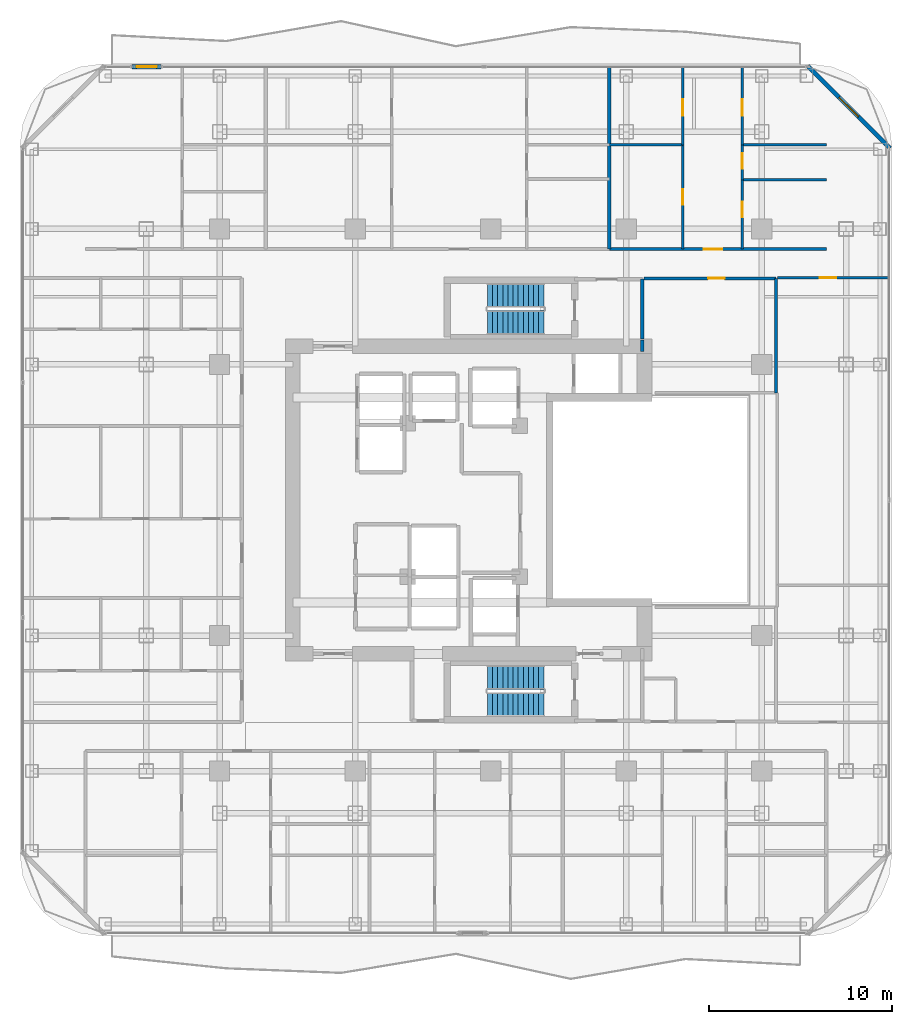
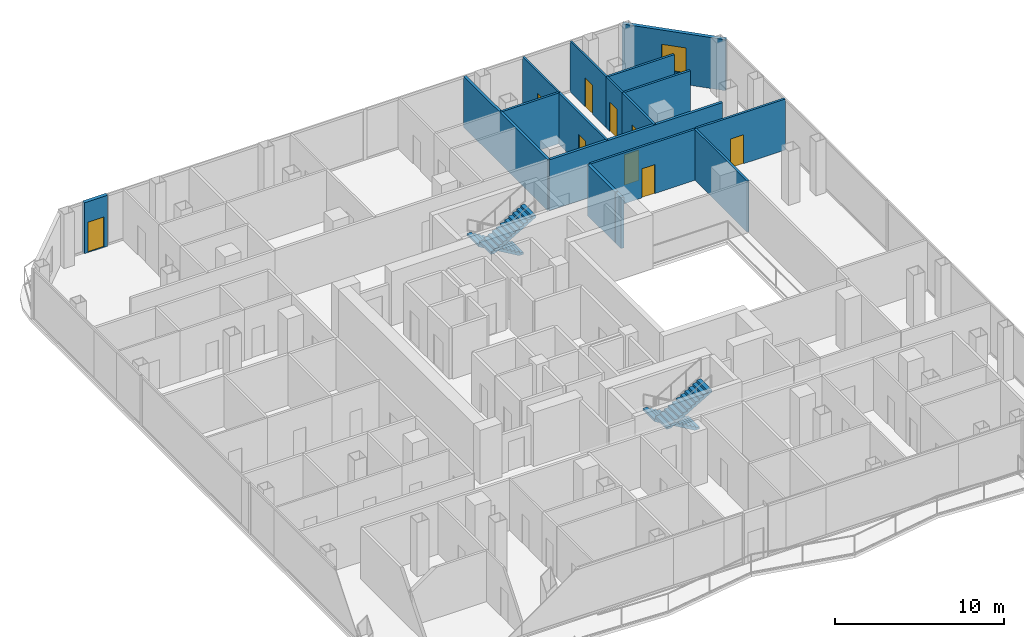
# One storey, part 23 of 26: 17 walls, 9 doors, 4 stair flights, 1 window, 10 openings, 2 elements without a shape of their own.
"""IFC4 building model written with IfcOpenShell, lengths in metres."""

from ifc_helpers import new_model, si_unit, direction, frame, frame_2d, origin, place, context, subcontext, project, spatial, polyline, rectangle, outline, extrude, material, layer, layer_set, type_object, element, fill, aggregate, save


model = new_model("IFC4")

# Units and contexts
model_context = context("Model", 3, precision=1e-05, world=origin(), true_north=direction((0.0, 1.0)))
body_context = subcontext(model_context, "Body", "Model", "MODEL_VIEW")
ifc_project = project(units=[si_unit("LENGTHUNIT", "METRE"), si_unit("AREAUNIT", "SQUARE_METRE"), si_unit("VOLUMEUNIT", "CUBIC_METRE"), si_unit("PLANEANGLEUNIT", "RADIAN"), si_unit("MASSUNIT", "GRAM", prefix="KILO")], contexts=[model_context])

# Site, building, storey
site_placement = place(None, origin())
site = spatial("IfcSite", under=ifc_project, at=site_placement, CompositionType="ELEMENT")
building_placement = place(site_placement, origin())
building = spatial("IfcBuilding", under=site, at=building_placement, Name="Khorvyn Point Tower", CompositionType="ELEMENT")
storey_placement = place(building_placement, frame((0.0, 0.0, 183.60009765625)))
storey = spatial("IfcBuildingStorey", under=building, at=storey_placement, Name="L45", CompositionType="ELEMENT", Elevation=183.60009765625)

# Wall, opening, door
ifc_material_1 = material(Name="Double acoustic gypsum on twin steel stud", Category="steel")
ifc_layer_1 = layer(ifc_material_1, 0.179931640625)
ifc_layer_set_1 = layer_set([ifc_layer_1], Name="Acoustic Double-Stud Apartment Demising Wall 180")
wall_type_1 = type_object("IfcWallType", Name="Acoustic Double-Stud Apartment Demising Wall 180", PredefinedType="PARTITIONING", material=ifc_layer_set_1)
wall_1_placement = place(storey_placement, frame((6.47802734375, 13.699951171875, 0.0), z_axis=(0.0, 0.0, 1.0), x_axis=(1.0, 0.0, 0.0)))
wall_1 = element("IfcWall", 1, at=wall_1_placement, inside=storey, type_object=wall_type_1, Name="Wall", PredefinedType="PARTITIONING", context=body_context, shape_type="SweptSolid", body=[
    extrude(rectangle(XDim=11.842041015625, YDim=0.179931640625, at=frame_2d((5.9208984375, 0.0))), origin(), (0.0, 0.0, 1.0), 3.679931640625),
])
opening_1_placement = place(wall_1_placement, frame((5.153564453125, 0.0, 0.0)))
opening_1 = element("IfcOpeningElement", 2, at=opening_1_placement, cuts=wall_1, Name="Opening ID-AP60", PredefinedType="OPENING", context=body_context, shape_type="SweptSolid", body=[
    extrude(rectangle(XDim=1.0, YDim=2.199951171875, at=frame_2d((0.5, 1.10009765625))), frame((0.0, 0.099853515625, 0.0), z_axis=(0.0, -1.0, 0.0), x_axis=(1.0, 0.0, 0.0)), (0.0, 0.0, 1.0), 0.199951171875),
])
ifc_material_2 = material(Name="Engineered hardwood fire-rated leaf", Category="wood")
door_type_1 = type_object("IfcDoorType", Name="Acoustic Solid-Core Timber Apartment Entrance Door 1000x2200", OperationType="NOTDEFINED", PredefinedType="DOOR", material=ifc_material_2)
door_1_placement = place(opening_1_placement, origin())
door_1 = element("IfcDoor", 3, at=door_1_placement, inside=storey, type_object=door_type_1, Name="Door", OperationType="SINGLE_SWING_LEFT", OverallHeight=2.199951171875, OverallWidth=1.0, PredefinedType="DOOR", context=body_context, shape_type="SweptSolid", body=[
    extrude(rectangle(XDim=1.0, YDim=2.199951171875, at=frame_2d((0.5, 1.10009765625))), frame((0.0, 0.02490234375, 0.0), z_axis=(0.0, -1.0, 0.0), x_axis=(1.0, 0.0, 0.0)), (0.0, 0.0, 1.0), 0.050048828125),
])
fill(opening_1, door_1)

# Wall
wall_2_placement = place(storey_placement, frame((6.47802734375, 13.699951171875, 0.0), z_axis=(0.0, 0.0, 1.0), x_axis=(0.0, 1.0, 0.0)))
element("IfcWall", 4, at=wall_2_placement, inside=storey, type_object=wall_type_1, Name="Wall", PredefinedType="PARTITIONING", context=body_context, shape_type="SweptSolid", body=[
    extrude(rectangle(XDim=9.929931640625, YDim=0.179931640625, at=frame_2d((4.96484375, 0.0))), origin(), (0.0, 0.0, 1.0), 3.679931640625),
])

# Wall, opening, door
ifc_material_3 = material(Name="Pale anodised aluminium rainscreen on steel stud", Category="steel")
ifc_layer_2 = layer(ifc_material_3, 0.239990234375)
ifc_layer_set_2 = layer_set([ifc_layer_2], Name="Anodised Aluminium Insulated Corner Spandrel Wall 240")
wall_type_2 = type_object("IfcWallType", Name="Anodised Aluminium Insulated Corner Spandrel Wall 240", PredefinedType="SOLIDWALL", material=ifc_layer_set_2)
wall_3_placement = place(storey_placement, frame((-19.577880859375, 23.64990234375, 0.0), z_axis=(0.0, 0.0, 1.0), x_axis=(1.0, 0.0, 0.0)))
wall_3 = element("IfcWall", 5, at=wall_3_placement, inside=storey, type_object=wall_type_2, Name="L45 North Outdoor Threshold Wall", PredefinedType="SOLIDWALL", context=body_context, shape_type="SweptSolid", body=[
    extrude(rectangle(XDim=1.579833984375, YDim=0.239990234375, at=frame_2d((0.7900390625, 0.0))), origin(), (0.0, 0.0, 1.0), 3.679931640625),
])
opening_2_placement = place(wall_3_placement, frame((0.239990234375, 0.0, 0.0)))
opening_2 = element("IfcOpeningElement", 6, at=opening_2_placement, cuts=wall_3, Name="Opening BD-1122", PredefinedType="OPENING", context=body_context, shape_type="SweptSolid", body=[
    extrude(rectangle(XDim=1.10009765625, YDim=2.199951171875, at=frame_2d((0.550048828125, 1.10009765625))), frame((0.0, 0.1298828125, 0.0), z_axis=(0.0, -1.0, 0.0), x_axis=(1.0, 0.0, 0.0)), (0.0, 0.0, 1.0), 0.260009765625),
])
ifc_material_4 = material(Name="Anodised aluminium 6063-T6 and laminated Low-E glass", Category="aluminium")
door_type_2 = type_object("IfcDoorType", Name="Glazed Balcony and Terrace Threshold Door 1100x2200", OperationType="NOTDEFINED", PredefinedType="DOOR", material=ifc_material_4)
door_2_placement = place(opening_2_placement, origin())
door_2 = element("IfcDoor", 7, at=door_2_placement, inside=storey, type_object=door_type_2, Name="L45 North Glazed Balcony Outdoor Door", OperationType="SINGLE_SWING_RIGHT", OverallHeight=2.199951171875, OverallWidth=1.10009765625, PredefinedType="DOOR", context=body_context, shape_type="SweptSolid", body=[
    extrude(rectangle(XDim=1.10009765625, YDim=2.199951171875, at=frame_2d((0.550048828125, 1.10009765625))), frame((0.0, 0.02490234375, 0.0), z_axis=(0.0, -1.0, 0.0), x_axis=(1.0, 0.0, 0.0)), (0.0, 0.0, 1.0), 0.050048828125),
])
fill(opening_2, door_2)

# Wall, opening, window
wall_4_placement = place(storey_placement, frame((17.3076171875, 23.6923828125, 0.0), z_axis=(0.0, 0.0, 1.0), x_axis=(0.707106781187, -0.707106781187, 0.0)))
wall_4 = element("IfcWall", 8, at=wall_4_placement, inside=storey, type_object=wall_type_2, Name="L45 Rounded Corner Wall NE", PredefinedType="SOLIDWALL", context=body_context, shape_type="SweptSolid", body=[
    extrude(rectangle(XDim=6.342529296875, YDim=0.239990234375, at=frame_2d((3.17138671875, 0.0))), origin(), (0.0, 0.0, 1.0), 3.679931640625),
])
opening_3_placement = place(wall_4_placement, frame((2.42138671875, 0.0, 0.800048828125)))
opening_3 = element("IfcOpeningElement", 9, at=opening_3_placement, cuts=wall_4, Name="Opening WN-1518", PredefinedType="OPENING", context=body_context, shape_type="SweptSolid", body=[
    extrude(rectangle(XDim=1.5, YDim=1.85009765625, at=frame_2d((0.75, 0.925048828125))), frame((0.0, 0.1298828125, 0.0), z_axis=(0.0, -1.0, 0.0), x_axis=(1.0, 0.0, 0.0)), (0.0, 0.0, 1.0), 0.260009765625),
])
window_type = type_object("IfcWindowType", Name="Anodised Aluminium Rounded-Corner Panoramic Window 1500x1850", PartitioningType="SINGLE_PANEL", PredefinedType="WINDOW", material=ifc_material_4)
window_placement = place(opening_3_placement, origin())
window = element("IfcWindow", 10, at=window_placement, inside=storey, type_object=window_type, Name="L45 Corner Panoramic Window NE", OverallHeight=1.85009765625, OverallWidth=1.5, PartitioningType="SINGLE_PANEL", PredefinedType="WINDOW", context=body_context, shape_type="SweptSolid", body=[
    extrude(rectangle(XDim=1.5, YDim=1.85009765625, at=frame_2d((0.75, 0.925048828125))), frame((0.0, 0.030029296875, 0.0), z_axis=(0.0, -1.0, 0.0), x_axis=(1.0, 0.0, 0.0)), (0.0, 0.0, 1.0), 0.06005859375),
])
fill(opening_3, window)

# Walls
ifc_material_5 = material(Name="Concrete C40/50", Category="concrete")
ifc_layer_3 = layer(ifc_material_5, 0.199951171875)
ifc_layer_set_3 = layer_set([ifc_layer_3], Name="Concrete C40/50 Fire-Lobby Compartment Wall 200")
wall_type_3 = type_object("IfcWallType", Name="Concrete C40/50 Fire-Lobby Compartment Wall 200", PredefinedType="SOLIDWALL", material=ifc_layer_set_3)
wall_5_placement = place(storey_placement, frame((8.280029296875, 8.800048828125, 0.0), z_axis=(0.0, 0.0, 1.0), x_axis=(0.0, 1.0, 0.0)))
element("IfcWall", 11, at=wall_5_placement, inside=storey, type_object=wall_type_3, Name="Wall", PredefinedType="SOLIDWALL", context=body_context, shape_type="SweptSolid", body=[
    extrude(rectangle(XDim=3.260009765625, YDim=0.199951171875, at=frame_2d((1.6298828125, 0.0))), origin(), (0.0, 0.0, 1.0), 3.679931640625),
])
wall_6_placement = place(storey_placement, frame((8.280029296875, 8.10009765625, 0.0), z_axis=(0.0, 0.0, 1.0), x_axis=(0.0, 1.0, 0.0)))
element("IfcWall", 12, at=wall_6_placement, inside=storey, type_object=wall_type_3, Name="Wall", PredefinedType="SOLIDWALL", context=body_context, shape_type="SweptSolid", body=[
    extrude(rectangle(XDim=0.625, YDim=0.199951171875, at=frame_2d((0.3125, 0.0))), origin(), (0.0, 0.0, 1.0), 3.679931640625),
])

# Wall, opening, door
ifc_material_6 = material(Name="Gypsum plasterboard on steel stud", Category="steel")
ifc_layer_4 = layer(ifc_material_6, 0.1201171875)
ifc_layer_set_4 = layer_set([ifc_layer_4], Name="Gypsum Acoustic Stud Room Partition Wall 120")
wall_type_4 = type_object("IfcWallType", Name="Gypsum Acoustic Stud Room Partition Wall 120", PredefinedType="PARTITIONING", material=ifc_layer_set_4)
wall_7_placement = place(storey_placement, frame((10.48095703125, 19.389892578125, 0.0), z_axis=(0.0, 0.0, 1.0), x_axis=(0.0, 1.0, 0.0)))
wall_7 = element("IfcWall", 13, at=wall_7_placement, inside=storey, type_object=wall_type_4, Name="Wall", PredefinedType="PARTITIONING", context=body_context, shape_type="SweptSolid", body=[
    extrude(rectangle(XDim=4.239990234375, YDim=0.1201171875, at=frame_2d((2.1201171875, 0.0))), origin(), (0.0, 0.0, 1.0), 3.679931640625),
])
opening_4_placement = place(wall_7_placement, frame((1.581298828125, 0.0, 0.0)))
opening_4 = element("IfcOpeningElement", 14, at=opening_4_placement, cuts=wall_7, Name="Opening ID-RM90", PredefinedType="OPENING", context=body_context, shape_type="SweptSolid", body=[
    extrude(rectangle(XDim=0.89990234375, YDim=2.10009765625, at=frame_2d((0.449951171875, 1.050048828125))), frame((0.0, 0.070068359375, 0.0), z_axis=(0.0, -1.0, 0.0), x_axis=(1.0, 0.0, 0.0)), (0.0, 0.0, 1.0), 0.14013671875),
])
ifc_material_7 = material(Name="Engineered oak veneer timber", Category="wood")
door_type_3 = type_object("IfcDoorType", Name="Flush Engineered Timber Room Door 900x2100", OperationType="NOTDEFINED", PredefinedType="DOOR", material=ifc_material_7)
door_3_placement = place(opening_4_placement, origin())
door_3 = element("IfcDoor", 15, at=door_3_placement, inside=storey, type_object=door_type_3, Name="Door", OperationType="SINGLE_SWING_LEFT", OverallHeight=2.10009765625, OverallWidth=0.89990234375, PredefinedType="DOOR", context=body_context, shape_type="SweptSolid", body=[
    extrude(rectangle(XDim=0.89990234375, YDim=2.10009765625, at=frame_2d((0.449951171875, 1.050048828125))), frame((0.0, 0.02490234375, 0.0), z_axis=(0.0, -1.0, 0.0), x_axis=(1.0, 0.0, 0.0)), (0.0, 0.0, 1.0), 0.050048828125),
])
fill(opening_4, door_3)

wall_8_placement = place(storey_placement, frame((13.73095703125, 17.48388671875, 0.0), z_axis=(0.0, 0.0, 1.0), x_axis=(0.0, 1.0, 0.0)))
wall_8 = element("IfcWall", 16, at=wall_8_placement, inside=storey, type_object=wall_type_4, Name="Wall", PredefinedType="PARTITIONING", context=body_context, shape_type="SweptSolid", body=[
    extrude(rectangle(XDim=1.906005859375, YDim=0.1201171875, at=frame_2d((0.953125, 0.0))), origin(), (0.0, 0.0, 1.0), 3.679931640625),
])
opening_5_placement = place(wall_8_placement, frame((0.6015625, 0.0, 0.0)))
opening_5 = element("IfcOpeningElement", 17, at=opening_5_placement, cuts=wall_8, Name="Opening ID-WC85", PredefinedType="OPENING", context=body_context, shape_type="SweptSolid", body=[
    extrude(rectangle(XDim=0.85009765625, YDim=2.10009765625, at=frame_2d((0.425048828125, 1.050048828125))), frame((0.0, 0.070068359375, 0.0), z_axis=(0.0, -1.0, 0.0), x_axis=(1.0, 0.0, 0.0)), (0.0, 0.0, 1.0), 0.14013671875),
])
ifc_material_8 = material(Name="High-pressure laminate on moisture-resistant core", Category="wood")
door_type_4 = type_object("IfcDoorType", Name="Moisture-Resistant Accessible Washroom Door 850x2100", OperationType="NOTDEFINED", PredefinedType="DOOR", material=ifc_material_8)
door_4_placement = place(opening_5_placement, origin())
door_4 = element("IfcDoor", 18, at=door_4_placement, inside=storey, type_object=door_type_4, Name="Door", OperationType="SINGLE_SWING_LEFT", OverallHeight=2.10009765625, OverallWidth=0.85009765625, PredefinedType="DOOR", context=body_context, shape_type="SweptSolid", body=[
    extrude(rectangle(XDim=0.85009765625, YDim=2.10009765625, at=frame_2d((0.425048828125, 1.050048828125))), frame((0.0, 0.02490234375, 0.0), z_axis=(0.0, -1.0, 0.0), x_axis=(1.0, 0.0, 0.0)), (0.0, 0.0, 1.0), 0.050048828125),
])
fill(opening_5, door_4)

wall_9_placement = place(storey_placement, frame((13.73095703125, 19.389892578125, 0.0), z_axis=(0.0, 0.0, 1.0), x_axis=(0.0, 1.0, 0.0)))
wall_9 = element("IfcWall", 19, at=wall_9_placement, inside=storey, type_object=wall_type_4, Name="Wall", PredefinedType="PARTITIONING", context=body_context, shape_type="SweptSolid", body=[
    extrude(rectangle(XDim=4.239990234375, YDim=0.1201171875, at=frame_2d((2.1201171875, 0.0))), origin(), (0.0, 0.0, 1.0), 3.679931640625),
])
opening_6_placement = place(wall_9_placement, frame((1.581298828125, 0.0, 0.0)))
opening_6 = element("IfcOpeningElement", 20, at=opening_6_placement, cuts=wall_9, Name="Opening ID-RM90", PredefinedType="OPENING", context=body_context, shape_type="SweptSolid", body=[
    extrude(rectangle(XDim=0.89990234375, YDim=2.10009765625, at=frame_2d((0.449951171875, 1.050048828125))), frame((0.0, 0.070068359375, 0.0), z_axis=(0.0, -1.0, 0.0), x_axis=(1.0, 0.0, 0.0)), (0.0, 0.0, 1.0), 0.14013671875),
])
door_5_placement = place(opening_6_placement, origin())
door_5 = element("IfcDoor", 21, at=door_5_placement, inside=storey, type_object=door_type_3, Name="Door", OperationType="SINGLE_SWING_RIGHT", OverallHeight=2.10009765625, OverallWidth=0.89990234375, PredefinedType="DOOR", context=body_context, shape_type="SweptSolid", body=[
    extrude(rectangle(XDim=0.89990234375, YDim=2.10009765625, at=frame_2d((0.449951171875, 1.050048828125))), frame((0.0, 0.02490234375, 0.0), z_axis=(0.0, -1.0, 0.0), x_axis=(1.0, 0.0, 0.0)), (0.0, 0.0, 1.0), 0.050048828125),
])
fill(opening_6, door_5)

ifc_material_9 = material(Name="Moisture-resistant gypsum and cement board", Category="gypsum")
ifc_layer_5 = layer(ifc_material_9, 0.14990234375)
ifc_layer_set_5 = layer_set([ifc_layer_5], Name="Moisture-Resistant Wet-Room Partition Wall 150")
wall_type_5 = type_object("IfcWallType", Name="Moisture-Resistant Wet-Room Partition Wall 150", PredefinedType="PARTITIONING", material=ifc_layer_set_5)
wall_10_placement = place(storey_placement, frame((8.360107421875, 12.10009765625, 0.0), z_axis=(0.0, 0.0, 1.0), x_axis=(1.0, 0.0, 0.0)))
wall_10 = element("IfcWall", 22, at=wall_10_placement, inside=storey, type_object=wall_type_5, Name="Wall", PredefinedType="PARTITIONING", context=body_context, shape_type="SweptSolid", body=[
    extrude(rectangle(XDim=7.219970703125, YDim=0.14990234375, at=frame_2d((3.60986328125, 0.0))), origin(), (0.0, 0.0, 1.0), 3.679931640625),
])
opening_7_placement = place(wall_10_placement, frame((3.512939453125, 0.0, 0.0)))
opening_7 = element("IfcOpeningElement", 23, at=opening_7_placement, cuts=wall_10, Name="Opening ID-RM90", PredefinedType="OPENING", context=body_context, shape_type="SweptSolid", body=[
    extrude(rectangle(XDim=0.89990234375, YDim=2.10009765625, at=frame_2d((0.449951171875, 1.050048828125))), frame((0.0, 0.0849609375, 0.0), z_axis=(0.0, -1.0, 0.0), x_axis=(1.0, 0.0, 0.0)), (0.0, 0.0, 1.0), 0.169921875),
])
door_6_placement = place(opening_7_placement, origin())
door_6 = element("IfcDoor", 24, at=door_6_placement, inside=storey, type_object=door_type_3, Name="Door", OperationType="SINGLE_SWING_RIGHT", OverallHeight=2.10009765625, OverallWidth=0.89990234375, PredefinedType="DOOR", context=body_context, shape_type="SweptSolid", body=[
    extrude(rectangle(XDim=0.89990234375, YDim=2.10009765625, at=frame_2d((0.449951171875, 1.050048828125))), frame((0.0, 0.02490234375, 0.0), z_axis=(0.0, -1.0, 0.0), x_axis=(1.0, 0.0, 0.0)), (0.0, 0.0, 1.0), 0.050048828125),
])
fill(opening_7, door_6)

wall_11_placement = place(storey_placement, frame((10.48095703125, 13.699951171875, 0.0), z_axis=(0.0, 0.0, 1.0), x_axis=(0.0, 1.0, 0.0)))
wall_11 = element("IfcWall", 25, at=wall_11_placement, inside=storey, type_object=wall_type_5, Name="Wall", PredefinedType="PARTITIONING", context=body_context, shape_type="SweptSolid", body=[
    extrude(rectangle(XDim=5.68994140625, YDim=0.14990234375, at=frame_2d((2.844970703125, 0.0))), origin(), (0.0, 0.0, 1.0), 3.679931640625),
])
opening_8_placement = place(wall_11_placement, frame((2.419921875, 0.0, 0.0)))
opening_8 = element("IfcOpeningElement", 26, at=opening_8_placement, cuts=wall_11, Name="Opening ID-WC85", PredefinedType="OPENING", context=body_context, shape_type="SweptSolid", body=[
    extrude(rectangle(XDim=0.85009765625, YDim=2.10009765625, at=frame_2d((0.425048828125, 1.050048828125))), frame((0.0, 0.0849609375, 0.0), z_axis=(0.0, -1.0, 0.0), x_axis=(1.0, 0.0, 0.0)), (0.0, 0.0, 1.0), 0.169921875),
])
door_7_placement = place(opening_8_placement, origin())
door_7 = element("IfcDoor", 27, at=door_7_placement, inside=storey, type_object=door_type_4, Name="Door", OperationType="SINGLE_SWING_RIGHT", OverallHeight=2.10009765625, OverallWidth=0.85009765625, PredefinedType="DOOR", context=body_context, shape_type="SweptSolid", body=[
    extrude(rectangle(XDim=0.85009765625, YDim=2.10009765625, at=frame_2d((0.425048828125, 1.050048828125))), frame((0.0, 0.02490234375, 0.0), z_axis=(0.0, -1.0, 0.0), x_axis=(1.0, 0.0, 0.0)), (0.0, 0.0, 1.0), 0.050048828125),
])
fill(opening_8, door_7)

wall_12_placement = place(storey_placement, frame((13.73095703125, 13.699951171875, 0.0), z_axis=(0.0, 0.0, 1.0), x_axis=(0.0, 1.0, 0.0)))
wall_12 = element("IfcWall", 28, at=wall_12_placement, inside=storey, type_object=wall_type_5, Name="Wall", PredefinedType="PARTITIONING", context=body_context, shape_type="SweptSolid", body=[
    extrude(rectangle(XDim=3.783935546875, YDim=0.14990234375, at=frame_2d((1.89208984375, 0.0))), origin(), (0.0, 0.0, 1.0), 3.679931640625),
])
opening_9_placement = place(wall_12_placement, frame((1.728515625, 0.0, 0.0)))
opening_9 = element("IfcOpeningElement", 29, at=opening_9_placement, cuts=wall_12, Name="Opening ID-WC85", PredefinedType="OPENING", context=body_context, shape_type="SweptSolid", body=[
    extrude(rectangle(XDim=0.85009765625, YDim=2.10009765625, at=frame_2d((0.425048828125, 1.050048828125))), frame((0.0, 0.0849609375, 0.0), z_axis=(0.0, -1.0, 0.0), x_axis=(1.0, 0.0, 0.0)), (0.0, 0.0, 1.0), 0.169921875),
])
door_8_placement = place(opening_9_placement, origin())
door_8 = element("IfcDoor", 30, at=door_8_placement, inside=storey, type_object=door_type_4, Name="Door", OperationType="SINGLE_SWING_RIGHT", OverallHeight=2.10009765625, OverallWidth=0.85009765625, PredefinedType="DOOR", context=body_context, shape_type="SweptSolid", body=[
    extrude(rectangle(XDim=0.85009765625, YDim=2.10009765625, at=frame_2d((0.425048828125, 1.050048828125))), frame((0.0, 0.02490234375, 0.0), z_axis=(0.0, -1.0, 0.0), x_axis=(1.0, 0.0, 0.0)), (0.0, 0.0, 1.0), 0.050048828125),
])
fill(opening_9, door_8)

wall_13_placement = place(storey_placement, frame((15.64990234375, 12.139892578125, 0.0), z_axis=(0.0, 0.0, 1.0), x_axis=(1.0, 0.0, 0.0)))
wall_13 = element("IfcWall", 31, at=wall_13_placement, inside=storey, type_object=wall_type_5, Name="Wall", PredefinedType="PARTITIONING", context=body_context, shape_type="SweptSolid", body=[
    extrude(rectangle(XDim=6.070068359375, YDim=0.14990234375, at=frame_2d((3.03515625, 0.0))), origin(), (0.0, 0.0, 1.0), 3.679931640625),
])
opening_10_placement = place(wall_13_placement, frame((2.315673828125, 0.0, 0.0)))
opening_10 = element("IfcOpeningElement", 32, at=opening_10_placement, cuts=wall_13, Name="Opening ID-RM90", PredefinedType="OPENING", context=body_context, shape_type="SweptSolid", body=[
    extrude(rectangle(XDim=0.89990234375, YDim=2.10009765625, at=frame_2d((0.449951171875, 1.050048828125))), frame((0.0, 0.0849609375, 0.0), z_axis=(0.0, -1.0, 0.0), x_axis=(1.0, 0.0, 0.0)), (0.0, 0.0, 1.0), 0.169921875),
])
door_9_placement = place(opening_10_placement, origin())
door_9 = element("IfcDoor", 33, at=door_9_placement, inside=storey, type_object=door_type_3, Name="Door", OperationType="SINGLE_SWING_LEFT", OverallHeight=2.10009765625, OverallWidth=0.89990234375, PredefinedType="DOOR", context=body_context, shape_type="SweptSolid", body=[
    extrude(rectangle(XDim=0.89990234375, YDim=2.10009765625, at=frame_2d((0.449951171875, 1.050048828125))), frame((0.0, 0.02490234375, 0.0), z_axis=(0.0, -1.0, 0.0), x_axis=(1.0, 0.0, 0.0)), (0.0, 0.0, 1.0), 0.050048828125),
])
fill(opening_10, door_9)

# Walls
wall_14_placement = place(storey_placement, frame((15.580078125, 5.85009765625, 0.0), z_axis=(0.0, 0.0, 1.0), x_axis=(0.0, 1.0, 0.0)))
element("IfcWall", 34, at=wall_14_placement, inside=storey, type_object=wall_type_5, Name="Wall", PredefinedType="PARTITIONING", context=body_context, shape_type="SweptSolid", body=[
    extrude(rectangle(XDim=6.25, YDim=0.14990234375, at=frame_2d((3.125, 0.0))), origin(), (0.0, 0.0, 1.0), 3.679931640625),
])
wall_15_placement = place(storey_placement, frame((6.47802734375, 19.389892578125, 0.0), z_axis=(0.0, 0.0, 1.0), x_axis=(1.0, 0.0, 0.0)))
element("IfcWall", 35, at=wall_15_placement, inside=storey, type_object=wall_type_5, Name="Wall", PredefinedType="PARTITIONING", context=body_context, shape_type="SweptSolid", body=[
    extrude(rectangle(XDim=4.0029296875, YDim=0.14990234375, at=frame_2d((2.00146484375, 0.0))), origin(), (0.0, 0.0, 1.0), 3.679931640625),
])
for number, where, z_axis, x_axis, name in (
    (36, (13.73095703125, 17.48388671875, 0.0), (0.0, 0.0, 1.0), (1.0, 0.0, 0.0), "Wall"),
    (37, (13.73095703125, 19.389892578125, 0.0), (0.0, 0.0, 1.0), (1.0, 0.0, 0.0), "Wall"),
):
    element("IfcWall", number, at=place(storey_placement, frame(where, z_axis=z_axis, x_axis=x_axis)), inside=storey, type_object=wall_type_5, Name=name, PredefinedType="PARTITIONING", context=body_context, shape_type="SweptSolid", body=[
        extrude(rectangle(XDim=4.589111328125, YDim=0.14990234375, at=frame_2d((2.29443359375, 0.0))), origin(), (0.0, 0.0, 1.0), 3.679931640625),
    ])

# Stair, stair flights
stair_type = type_object("IfcStairType", Name="Tower Concrete C40/50 Dogleg Exit Stair", PredefinedType="HALF_TURN_STAIR", material=ifc_material_5)
stair_1_placement = place(storey_placement, origin())
stair_1 = element("IfcStair", 38, at=stair_1_placement, inside=storey, type_object=stair_type, Name="L45 Tower Smokeproof Exit Stair South", PredefinedType="HALF_TURN_STAIR")
stair_flight_type = type_object("IfcStairFlightType", Name="Tower Concrete C40/50 Stair Flight", PredefinedType="STRAIGHT", material=ifc_material_5)
stair_flight_1_placement = place(storey_placement, frame((2.89990234375, -9.679931640625, 0.0), z_axis=(0.0, 0.0, 1.0), x_axis=(-1.0, 0.0, 0.0)))
stair_flight_1 = element("IfcStairFlight", 39, at=stair_flight_1_placement, type_object=stair_flight_type, Name="ST-01 flight 1", NumberOfRisers=12, NumberOfTreads=11, PredefinedType="STRAIGHT", RiserHeight=0.1625, TreadLength=0.28, context=body_context, shape_type="SweptSolid", body=[
    extrude(outline(polyline([(0.0, 0.0), (0.0, 0.16259765625), (0.280029296875, 0.16259765625), (0.280029296875, 0.324951171875), (0.56005859375, 0.324951171875), (0.56005859375, 0.487548828125), (0.840087890625, 0.487548828125), (0.840087890625, 0.64990234375), (1.1201171875, 0.64990234375), (1.1201171875, 0.8125), (1.39990234375, 0.8125), (1.39990234375, 0.97509765625), (1.679931640625, 0.97509765625), (1.679931640625, 1.137451171875), (1.9599609375, 1.137451171875), (1.9599609375, 1.300048828125), (2.239990234375, 1.300048828125), (2.239990234375, 1.46240234375), (2.52001953125, 1.46240234375), (2.52001953125, 1.625), (2.800048828125, 1.625), (2.800048828125, 1.78759765625), (3.080078125, 1.78759765625), (3.080078125, 1.949951171875), (3.080078125, 1.6142578125), (0.298583984375, 0.0), (0.0, 0.0)])), frame((0.0, 0.66015625, 0.0), z_axis=(0.0, -1.0, 0.0), x_axis=(1.0, 0.0, 0.0)), (0.0, 0.0, 1.0), 1.320068359375),
])
stair_flight_2_placement = place(storey_placement, frame((-0.179931640625, -11.159912109375, 1.949951171875), z_axis=(0.0, 0.0, 1.0), x_axis=(1.0, 0.0, 0.0)))
stair_flight_2 = element("IfcStairFlight", 40, at=stair_flight_2_placement, type_object=stair_flight_type, Name="ST-01 flight 2", NumberOfRisers=12, NumberOfTreads=11, PredefinedType="STRAIGHT", RiserHeight=0.1625, TreadLength=0.28, context=body_context, shape_type="SweptSolid", body=[
    extrude(outline(polyline([(0.0, 0.0), (0.0, 0.16259765625), (0.280029296875, 0.16259765625), (0.280029296875, 0.324951171875), (0.56005859375, 0.324951171875), (0.56005859375, 0.487548828125), (0.840087890625, 0.487548828125), (0.840087890625, 0.64990234375), (1.1201171875, 0.64990234375), (1.1201171875, 0.8125), (1.39990234375, 0.8125), (1.39990234375, 0.97509765625), (1.679931640625, 0.97509765625), (1.679931640625, 1.137451171875), (1.9599609375, 1.137451171875), (1.9599609375, 1.300048828125), (2.239990234375, 1.300048828125), (2.239990234375, 1.46240234375), (2.52001953125, 1.46240234375), (2.52001953125, 1.625), (2.800048828125, 1.625), (2.800048828125, 1.78759765625), (3.080078125, 1.78759765625), (3.080078125, 1.949951171875), (3.080078125, 1.6142578125), (0.298583984375, 0.0), (0.0, 0.0)])), frame((0.0, 0.66015625, 0.0), z_axis=(0.0, -1.0, 0.0), x_axis=(1.0, 0.0, 0.0)), (0.0, 0.0, 1.0), 1.320068359375),
])
aggregate(stair_1, [stair_flight_1, stair_flight_2])

stair_2_placement = place(storey_placement, origin())
stair_2 = element("IfcStair", 41, at=stair_2_placement, inside=storey, type_object=stair_type, Name="L45 Tower Smokeproof Exit Stair North", PredefinedType="HALF_TURN_STAIR")
stair_flight_3_placement = place(storey_placement, frame((2.89990234375, 11.159912109375, 0.0), z_axis=(0.0, 0.0, 1.0), x_axis=(-1.0, 0.0, 0.0)))
stair_flight_3 = element("IfcStairFlight", 42, at=stair_flight_3_placement, type_object=stair_flight_type, Name="ST-02 flight 1", NumberOfRisers=12, NumberOfTreads=11, PredefinedType="STRAIGHT", RiserHeight=0.1625, TreadLength=0.28, context=body_context, shape_type="SweptSolid", body=[
    extrude(outline(polyline([(0.0, 0.0), (0.0, 0.16259765625), (0.280029296875, 0.16259765625), (0.280029296875, 0.324951171875), (0.56005859375, 0.324951171875), (0.56005859375, 0.487548828125), (0.840087890625, 0.487548828125), (0.840087890625, 0.64990234375), (1.1201171875, 0.64990234375), (1.1201171875, 0.8125), (1.39990234375, 0.8125), (1.39990234375, 0.97509765625), (1.679931640625, 0.97509765625), (1.679931640625, 1.137451171875), (1.9599609375, 1.137451171875), (1.9599609375, 1.300048828125), (2.239990234375, 1.300048828125), (2.239990234375, 1.46240234375), (2.52001953125, 1.46240234375), (2.52001953125, 1.625), (2.800048828125, 1.625), (2.800048828125, 1.78759765625), (3.080078125, 1.78759765625), (3.080078125, 1.949951171875), (3.080078125, 1.6142578125), (0.298583984375, 0.0), (0.0, 0.0)])), frame((0.0, 0.66015625, 0.0), z_axis=(0.0, -1.0, 0.0), x_axis=(1.0, 0.0, 0.0)), (0.0, 0.0, 1.0), 1.320068359375),
])
stair_flight_4_placement = place(storey_placement, frame((-0.179931640625, 9.679931640625, 1.949951171875), z_axis=(0.0, 0.0, 1.0), x_axis=(1.0, 0.0, 0.0)))
stair_flight_4 = element("IfcStairFlight", 43, at=stair_flight_4_placement, type_object=stair_flight_type, Name="ST-02 flight 2", NumberOfRisers=12, NumberOfTreads=11, PredefinedType="STRAIGHT", RiserHeight=0.1625, TreadLength=0.28, context=body_context, shape_type="SweptSolid", body=[
    extrude(outline(polyline([(0.0, 0.0), (0.0, 0.16259765625), (0.280029296875, 0.16259765625), (0.280029296875, 0.324951171875), (0.56005859375, 0.324951171875), (0.56005859375, 0.487548828125), (0.840087890625, 0.487548828125), (0.840087890625, 0.64990234375), (1.1201171875, 0.64990234375), (1.1201171875, 0.8125), (1.39990234375, 0.8125), (1.39990234375, 0.97509765625), (1.679931640625, 0.97509765625), (1.679931640625, 1.137451171875), (1.9599609375, 1.137451171875), (1.9599609375, 1.300048828125), (2.239990234375, 1.300048828125), (2.239990234375, 1.46240234375), (2.52001953125, 1.46240234375), (2.52001953125, 1.625), (2.800048828125, 1.625), (2.800048828125, 1.78759765625), (3.080078125, 1.78759765625), (3.080078125, 1.949951171875), (3.080078125, 1.6142578125), (0.298583984375, 0.0), (0.0, 0.0)])), frame((0.0, 0.66015625, 0.0), z_axis=(0.0, -1.0, 0.0), x_axis=(1.0, 0.0, 0.0)), (0.0, 0.0, 1.0), 1.320068359375),
])
aggregate(stair_2, [stair_flight_3, stair_flight_4])

save(model, "model.ifc")
